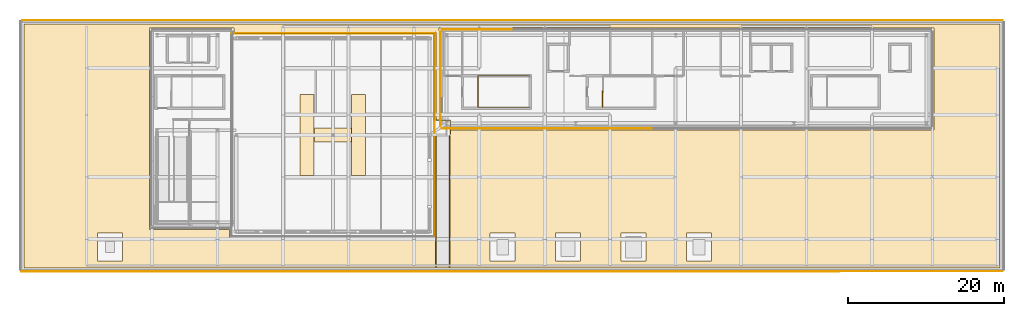
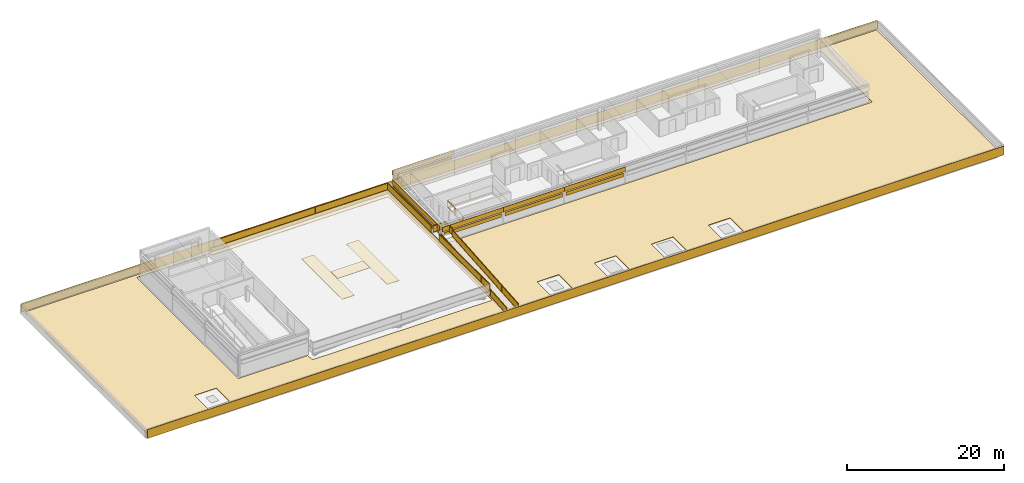
# One storey, part 13 of 14: 13 coverings, 9 railings, 5 shading devices.
"""IFC4 building model written with IfcOpenShell, lengths in metres."""

from ifc_helpers import new_model, si_unit, direction, frame, origin, origin_2d, place, context, subcontext, project, spatial, polyline, rectangle, outline, extrude, material, layer, layer_set, type_object, element, save


model = new_model("IFC4")

# Units and contexts
model_context = context("Model", 3, precision=1e-05, world=origin(), true_north=direction((0.0, 1.0)))
body_context = subcontext(model_context, "Body", "Model", "MODEL_VIEW")
ifc_project = project(units=[si_unit("LENGTHUNIT", "METRE"), si_unit("AREAUNIT", "SQUARE_METRE"), si_unit("VOLUMEUNIT", "CUBIC_METRE"), si_unit("PLANEANGLEUNIT", "RADIAN"), si_unit("MASSUNIT", "GRAM", prefix="KILO")], contexts=[model_context])

# Site, building, storey
site_placement = place(None, origin())
site = spatial("IfcSite", under=ifc_project, at=site_placement, CompositionType="ELEMENT")
building_placement = place(site_placement, origin())
building = spatial("IfcBuilding", under=site, at=building_placement, Name="Selatvlak General Hospital", CompositionType="ELEMENT")
storey_placement = place(building_placement, frame((0.0, 0.0, 39.449951171875)))
storey = spatial("IfcBuildingStorey", under=building, at=storey_placement, Name="RF", CompositionType="ELEMENT", Elevation=39.449951171875)

# Coverings
ifc_material_1 = material(Name="Insulated TPO roofing membrane")
ifc_layer_1 = layer(ifc_material_1, 0.06005859375, Name="Insulated TPO roofing membrane")
ifc_layer_set_1 = layer_set([ifc_layer_1], Name="Insulated TPO roofing membrane")
covering_type_1 = type_object("IfcCoveringType", Name="COV-RF1", PredefinedType="ROOFING", material=ifc_layer_set_1)
covering_1_placement = place(storey_placement, frame((0.0, 0.0, 1.400146484375)))
element("IfcCovering", 1, at=covering_1_placement, inside=storey, type_object=covering_type_1, Name="CAAM helipad H landing marking HLP-H-LEFT", PredefinedType="ROOFING", context=body_context, shape_type="SweptSolid", body=[
    extrude(outline(polyline([(67.0, 100.199951171875), (68.800048828125, 100.199951171875), (68.800048828125, 110.60009765625), (67.0, 110.60009765625), (67.0, 100.199951171875)])), origin(), (0.0, 0.0, 1.0), 0.044921875),
])
covering_2_placement = place(storey_placement, frame((0.0, 0.0, 1.400146484375)))
element("IfcCovering", 2, at=covering_2_placement, inside=storey, type_object=covering_type_1, Name="CAAM helipad H landing marking HLP-H-RIGHT", PredefinedType="ROOFING", context=body_context, shape_type="SweptSolid", body=[
    extrude(outline(polyline([(73.60009765625, 100.199951171875), (75.39990234375, 100.199951171875), (75.39990234375, 110.60009765625), (73.60009765625, 110.60009765625), (73.60009765625, 100.199951171875)])), origin(), (0.0, 0.0, 1.0), 0.044921875),
])
covering_3_placement = place(storey_placement, frame((0.0, 0.0, 1.400146484375)))
element("IfcCovering", 3, at=covering_3_placement, inside=storey, type_object=covering_type_1, Name="CAAM helipad H landing marking HLP-H-MID", PredefinedType="ROOFING", context=body_context, shape_type="SweptSolid", body=[
    extrude(outline(polyline([(68.820068359375, 104.5), (73.580078125, 104.5), (73.580078125, 106.300048828125), (68.820068359375, 106.300048828125), (68.820068359375, 104.5)])), origin(), (0.0, 0.0, 1.0), 0.044921875),
])
covering_4_placement = place(storey_placement, frame((0.0, 0.0, 0.050048828125)))
element("IfcCovering", 4, at=covering_4_placement, inside=storey, type_object=covering_type_1, Name="RF insulated TPO roof membrane 07", PredefinedType="ROOFING", context=body_context, shape_type="SweptSolid", body=[
    extrude(outline(polyline([(156.85009765625, 88.35009765625), (31.550048828125, 88.35009765625), (31.550048828125, 119.64990234375), (156.85009765625, 119.64990234375), (156.85009765625, 88.35009765625)]), holes=[polyline([(44.199951171875, 89.199951171875), (44.199951171875, 92.800048828125), (41.0, 92.800048828125), (41.0, 89.199951171875), (44.199951171875, 89.199951171875)]), polyline([(91.39990234375, 89.199951171875), (94.60009765625, 89.199951171875), (94.60009765625, 92.800048828125), (91.39990234375, 92.800048828125), (91.39990234375, 89.199951171875)]), polyline([(99.800048828125, 92.800048828125), (99.800048828125, 89.199951171875), (103.0, 89.199951171875), (103.0, 92.800048828125), (99.800048828125, 92.800048828125)]), polyline([(111.39990234375, 92.800048828125), (108.199951171875, 92.800048828125), (108.199951171875, 89.199951171875), (111.39990234375, 89.199951171875), (111.39990234375, 92.800048828125)]), polyline([(119.800048828125, 89.199951171875), (119.800048828125, 92.800048828125), (116.60009765625, 92.800048828125), (116.60009765625, 89.199951171875), (119.800048828125, 89.199951171875)]), polyline([(47.699951171875, 93.25), (57.949951171875, 93.25), (57.949951171875, 92.39990234375), (57.950927734375, 92.375), (57.955078125, 92.35107421875), (57.9609375, 92.326904296875), (57.968994140625, 92.303955078125), (57.97998046875, 92.281982421875), (57.991943359375, 92.260986328125), (58.007080078125, 92.240966796875), (58.02294921875, 92.222900390625), (58.041015625, 92.20703125), (58.06103515625, 92.19189453125), (58.08203125, 92.179931640625), (58.10400390625, 92.1689453125), (58.126953125, 92.160888671875), (58.15087890625, 92.155029296875), (58.175048828125, 92.15087890625), (58.199951171875, 92.14990234375), (84.199951171875, 92.14990234375), (84.22509765625, 92.15087890625), (84.2490234375, 92.155029296875), (84.27294921875, 92.160888671875), (84.2958984375, 92.1689453125), (84.318115234375, 92.179931640625), (84.339111328125, 92.19189453125), (84.35888671875, 92.20703125), (84.376953125, 92.222900390625), (84.39306640625, 92.240966796875), (84.407958984375, 92.260986328125), (84.419921875, 92.281982421875), (84.430908203125, 92.303955078125), (84.43896484375, 92.326904296875), (84.445068359375, 92.35107421875), (84.448974609375, 92.375), (84.449951171875, 92.39990234375), (84.449951171875, 118.39990234375), (84.448974609375, 118.425048828125), (84.445068359375, 118.448974609375), (84.43896484375, 118.472900390625), (84.430908203125, 118.49609375), (84.419921875, 118.51806640625), (84.407958984375, 118.5390625), (84.39306640625, 118.55908203125), (84.376953125, 118.576904296875), (84.35888671875, 118.593017578125), (84.339111328125, 118.60791015625), (84.318115234375, 118.6201171875), (84.2958984375, 118.631103515625), (84.27294921875, 118.638916015625), (84.2490234375, 118.64501953125), (84.22509765625, 118.64892578125), (84.199951171875, 118.64990234375), (58.5400390625, 118.64990234375), (58.5400390625, 119.14990234375), (47.699951171875, 119.14990234375), (47.699951171875, 93.25)]), polyline([(84.85009765625, 119.14990234375), (84.85009765625, 106.050048828125), (148.35009765625, 106.050048828125), (148.35009765625, 119.14990234375), (84.85009765625, 119.14990234375)])]), origin(), (0.0, 0.0, 1.0), 0.06005859375),
])
ifc_material_2 = material(Name="White Bauhaus fair-faced cladding panel")
ifc_layer_2 = layer(ifc_material_2, 0.054931640625, Name="White Bauhaus fair-faced cladding panel")
ifc_layer_set_2 = layer_set([ifc_layer_2], Name="White Bauhaus fair-faced cladding panel")
covering_type_2 = type_object("IfcCoveringType", Name="COV-WHT1", PredefinedType="CLADDING", material=ifc_layer_set_2)
for number, where, z_axis, x_axis, name in (
    (5, (84.22998046875, 105.39990234375, 0.85009765625), (0.0, 0.0, 1.0), (0.0, 1.0, 0.0), "RF Helipad perimeter fascia 0586"),
    (6, (71.199951171875, 118.429931640625, 0.85009765625), (0.0, 0.0, 1.0), (-1.0, 0.0, 0.0), "RF Helipad perimeter fascia 0587"),
):
    element("IfcCovering", number, at=place(storey_placement, frame(where, z_axis=z_axis, x_axis=x_axis)), inside=storey, type_object=covering_type_2, Name=name, PredefinedType="CLADDING", context=body_context, shape_type="SweptSolid", body=[
        extrude(rectangle(XDim=26.0, YDim=0.054931640625, at=origin_2d()), origin(), (0.0, 0.0, 1.0), 0.6298828125),
    ])
covering_5_placement = place(storey_placement, frame((89.68603515625, 106.235107421875, 1.89013671875), z_axis=(0.0, 0.0, 1.0), x_axis=(1.0, 0.0, 0.0)))
element("IfcCovering", 7, at=covering_5_placement, inside=storey, type_object=covering_type_2, Name="RF RF penthouse white crown fascia 0597", PredefinedType="CLADDING", context=body_context, shape_type="SweptSolid", body=[
    extrude(rectangle(XDim=8.970947265625, YDim=0.054931640625, at=origin_2d()), origin(), (0.0, 0.0, 1.0), 0.699951171875),
])
covering_6_placement = place(storey_placement, frame((98.656982421875, 106.235107421875, 1.89013671875), z_axis=(0.0, 0.0, 1.0), x_axis=(1.0, 0.0, 0.0)))
element("IfcCovering", 8, at=covering_6_placement, inside=storey, type_object=covering_type_2, Name="RF RF penthouse white crown fascia 0598", PredefinedType="CLADDING", context=body_context, shape_type="SweptSolid", body=[
    extrude(rectangle(XDim=8.971923828125, YDim=0.054931640625, at=origin_2d()), origin(), (0.0, 0.0, 1.0), 0.699951171875),
])
for number, where, z_axis, x_axis, name in (
    (9, (107.62890625, 106.235107421875, 1.89013671875), (0.0, 0.0, 1.0), (1.0, 0.0, 0.0), "RF RF penthouse white crown fascia 0599"),
    (10, (89.68603515625, 118.965087890625, 3.0400390625), (0.0, 0.0, 1.0), (-1.0, 0.0, 0.0), "RF RF penthouse white crown fascia 0611"),
):
    element("IfcCovering", number, at=place(storey_placement, frame(where, z_axis=z_axis, x_axis=x_axis)), inside=storey, type_object=covering_type_2, Name=name, PredefinedType="CLADDING", context=body_context, shape_type="SweptSolid", body=[
        extrude(rectangle(XDim=8.970947265625, YDim=0.054931640625, at=origin_2d()), origin(), (0.0, 0.0, 1.0), 0.699951171875),
    ])
covering_7_placement = place(storey_placement, frame((85.034912109375, 112.60009765625, 1.908203125), z_axis=(0.0, 0.0, 1.0), x_axis=(0.0, -1.0, 0.0)))
element("IfcCovering", 11, at=covering_7_placement, inside=storey, type_object=covering_type_2, Name="RF RF penthouse white crown fascia 0612", PredefinedType="CLADDING", context=body_context, shape_type="SweptSolid", body=[
    extrude(rectangle(XDim=12.115966796875, YDim=0.054931640625, at=origin_2d()), origin(), (0.0, 0.0, 1.0), 0.699951171875),
])
covering_8_placement = place(storey_placement, frame((94.199951171875, 87.864990234375, -0.169921875), z_axis=(0.0, 0.0, 1.0), x_axis=(-1.0, 0.0, 0.0)))
element("IfcCovering", 12, at=covering_8_placement, inside=storey, type_object=covering_type_2, Name="RF Roof parapet white Bauhaus coping 0652", PredefinedType="CLADDING", context=body_context, shape_type="SweptSolid", body=[
    extrude(rectangle(XDim=126.0, YDim=0.054931640625, at=origin_2d()), origin(), (0.0, 0.0, 1.0), 1.3701171875),
])
covering_9_placement = place(storey_placement, frame((94.25390625, 120.135009765625, -0.169921875), z_axis=(0.0, 0.0, 1.0), x_axis=(1.0, 0.0, 0.0)))
element("IfcCovering", 13, at=covering_9_placement, inside=storey, type_object=covering_type_2, Name="RF Roof parapet white Bauhaus coping 0654", PredefinedType="CLADDING", context=body_context, shape_type="SweptSolid", body=[
    extrude(rectangle(XDim=125.89208984375, YDim=0.054931640625, at=origin_2d()), origin(), (0.0, 0.0, 1.0), 1.3701171875),
])

# Railings
ifc_material_3 = material(Name="Stainless steel 316 perimeter guardrail", Category="steel")
railing_type_1 = type_object("IfcRailingType", Name="RAIL-GRD1", PredefinedType="GUARDRAIL", material=ifc_material_3)
railing_1_placement = place(storey_placement, frame((84.199951171875, 92.39990234375, 1.400146484375)))
element("IfcRailing", 14, at=railing_1_placement, inside=storey, type_object=railing_type_1, Name="RF continuous terrace guardrail 0040", PredefinedType="GUARDRAIL", context=body_context, shape_type="SweptSolid", body=[
    extrude(rectangle(XDim=0.068115234375, YDim=0.068115234375, at=origin_2d()), frame((0.0, 0.0029296875, 1.11572265625), z_axis=(0.0, 1.0, 0.0), x_axis=(-1.0, 0.0, 0.0)), (0.0, 0.0, 1.0), 12.894287109375),
    extrude(rectangle(XDim=0.068115234375, YDim=0.068115234375, at=origin_2d()), frame((0.0, 0.0029296875, 0.049072265625), z_axis=(0.0, 1.0, 0.0), x_axis=(-1.0, 0.0, 0.0)), (0.0, 0.0, 1.0), 12.894287109375),
    extrude(outline(polyline([(0.0, 0.0), (12.88818359375, 0.0), (12.88818359375, 0.9716796875), (0.0, 0.9716796875), (0.0, 0.0)])), frame((-0.01806640625, 0.006103515625, 0.0849609375), z_axis=(1.0, 0.0, 0.0), x_axis=(0.0, 1.0, 0.0)), (0.0, 0.0, 1.0), 0.031982421875),
    extrude(rectangle(XDim=0.055908203125, YDim=0.055908203125, at=origin_2d()), origin(), (0.0, 0.0, 1.0), 1.078857421875),
    extrude(rectangle(XDim=0.055908203125, YDim=0.055908203125, at=origin_2d()), frame((0.0, 2.14990234375, 0.0)), (0.0, 0.0, 1.0), 1.078857421875),
    extrude(rectangle(XDim=0.055908203125, YDim=0.055908203125, at=origin_2d()), frame((0.0, 4.300048828125, 0.0)), (0.0, 0.0, 1.0), 1.078857421875),
    extrude(rectangle(XDim=0.055908203125, YDim=0.055908203125, at=origin_2d()), frame((0.0, 6.4501953125, 0.0)), (0.0, 0.0, 1.0), 1.078857421875),
    extrude(rectangle(XDim=0.055908203125, YDim=0.055908203125, at=origin_2d()), frame((0.0, 8.60009765625, 0.0)), (0.0, 0.0, 1.0), 1.078857421875),
    extrude(rectangle(XDim=0.055908203125, YDim=0.055908203125, at=origin_2d()), frame((0.0, 10.75, 0.0)), (0.0, 0.0, 1.0), 1.078857421875),
    extrude(rectangle(XDim=0.055908203125, YDim=0.055908203125, at=origin_2d()), frame((0.0, 12.900146484375, 0.0)), (0.0, 0.0, 1.0), 1.078857421875),
])
railing_2_placement = place(storey_placement, frame((84.199951171875, 107.300048828125, 1.400146484375)))
element("IfcRailing", 15, at=railing_2_placement, inside=storey, type_object=railing_type_1, Name="RF continuous terrace guardrail 0041", PredefinedType="GUARDRAIL", context=body_context, shape_type="SweptSolid", body=[
    extrude(rectangle(XDim=0.068115234375, YDim=0.068115234375, at=origin_2d()), frame((0.0, 0.0029296875, 1.11572265625), z_axis=(0.0, 1.0, 0.0), x_axis=(-1.0, 0.0, 0.0)), (0.0, 0.0, 1.0), 11.093994140625),
    extrude(rectangle(XDim=0.068115234375, YDim=0.068115234375, at=origin_2d()), frame((0.0, 0.0029296875, 0.049072265625), z_axis=(0.0, 1.0, 0.0), x_axis=(-1.0, 0.0, 0.0)), (0.0, 0.0, 1.0), 11.093994140625),
    extrude(outline(polyline([(0.0, 0.0), (11.087890625, 0.0), (11.087890625, 0.9716796875), (0.0, 0.9716796875), (0.0, 0.0)])), frame((-0.01806640625, 0.006103515625, 0.0849609375), z_axis=(1.0, 0.0, 0.0), x_axis=(0.0, 1.0, 0.0)), (0.0, 0.0, 1.0), 0.031982421875),
    extrude(rectangle(XDim=0.068115234375, YDim=0.068115234375, at=origin_2d()), frame((-0.0029296875, 11.099853515625, 1.11572265625), z_axis=(-1.0, 0.0, 0.0), x_axis=(0.0, -1.0, 0.0)), (0.0, 0.0, 1.0), 25.524169921875),
    extrude(rectangle(XDim=0.068115234375, YDim=0.068115234375, at=origin_2d()), frame((-0.0029296875, 11.099853515625, 0.049072265625), z_axis=(-1.0, 0.0, 0.0), x_axis=(0.0, -1.0, 0.0)), (0.0, 0.0, 1.0), 25.524169921875),
    extrude(outline(polyline([(0.0, 0.0), (25.51806640625, 0.0), (25.51806640625, 0.9716796875), (0.0, 0.9716796875), (0.0, 0.0)])), frame((-0.006103515625, 11.081787109375, 0.0849609375), z_axis=(0.0, 1.0, 0.0), x_axis=(-1.0, 0.0, 0.0)), (0.0, 0.0, 1.0), 0.031982421875),
    extrude(rectangle(XDim=0.055908203125, YDim=0.055908203125, at=origin_2d()), origin(), (0.0, 0.0, 1.0), 1.078857421875),
    extrude(rectangle(XDim=0.055908203125, YDim=0.055908203125, at=origin_2d()), frame((0.0, 1.85009765625, 0.0)), (0.0, 0.0, 1.0), 1.078857421875),
    extrude(rectangle(XDim=0.055908203125, YDim=0.055908203125, at=origin_2d()), frame((0.0, 3.699951171875, 0.0)), (0.0, 0.0, 1.0), 1.078857421875),
    extrude(rectangle(XDim=0.055908203125, YDim=0.055908203125, at=origin_2d()), frame((0.0, 5.5498046875, 0.0)), (0.0, 0.0, 1.0), 1.078857421875),
    extrude(rectangle(XDim=0.055908203125, YDim=0.055908203125, at=origin_2d()), frame((0.0, 7.39990234375, 0.0)), (0.0, 0.0, 1.0), 1.078857421875),
    extrude(rectangle(XDim=0.055908203125, YDim=0.055908203125, at=origin_2d()), frame((0.0, 9.25, 0.0)), (0.0, 0.0, 1.0), 1.078857421875),
    extrude(rectangle(XDim=0.055908203125, YDim=0.055908203125, at=origin_2d()), frame((0.0, 11.099853515625, 0.0)), (0.0, 0.0, 1.0), 1.078857421875),
    extrude(rectangle(XDim=0.055908203125, YDim=0.055908203125, at=origin_2d()), frame((-2.12744140625, 11.099853515625, 0.0)), (0.0, 0.0, 1.0), 1.078857421875),
    extrude(rectangle(XDim=0.055908203125, YDim=0.055908203125, at=origin_2d()), frame((-4.2548828125, 11.099853515625, 0.0)), (0.0, 0.0, 1.0), 1.078857421875),
    extrude(rectangle(XDim=0.055908203125, YDim=0.055908203125, at=origin_2d()), frame((-6.382568359375, 11.099853515625, 0.0)), (0.0, 0.0, 1.0), 1.078857421875),
    extrude(rectangle(XDim=0.055908203125, YDim=0.055908203125, at=origin_2d()), frame((-8.510009765625, 11.099853515625, 0.0)), (0.0, 0.0, 1.0), 1.078857421875),
    extrude(rectangle(XDim=0.055908203125, YDim=0.055908203125, at=origin_2d()), frame((-10.637451171875, 11.099853515625, 0.0)), (0.0, 0.0, 1.0), 1.078857421875),
    extrude(rectangle(XDim=0.055908203125, YDim=0.055908203125, at=origin_2d()), frame((-12.76513671875, 11.099853515625, 0.0)), (0.0, 0.0, 1.0), 1.078857421875),
    extrude(rectangle(XDim=0.055908203125, YDim=0.055908203125, at=origin_2d()), frame((-14.892578125, 11.099853515625, 0.0)), (0.0, 0.0, 1.0), 1.078857421875),
    extrude(rectangle(XDim=0.055908203125, YDim=0.055908203125, at=origin_2d()), frame((-17.02001953125, 11.099853515625, 0.0)), (0.0, 0.0, 1.0), 1.078857421875),
    extrude(rectangle(XDim=0.055908203125, YDim=0.055908203125, at=origin_2d()), frame((-19.1474609375, 11.099853515625, 0.0)), (0.0, 0.0, 1.0), 1.078857421875),
    extrude(rectangle(XDim=0.055908203125, YDim=0.055908203125, at=origin_2d()), frame((-21.27490234375, 11.099853515625, 0.0)), (0.0, 0.0, 1.0), 1.078857421875),
    extrude(rectangle(XDim=0.055908203125, YDim=0.055908203125, at=origin_2d()), frame((-23.402587890625, 11.099853515625, 0.0)), (0.0, 0.0, 1.0), 1.078857421875),
    extrude(rectangle(XDim=0.055908203125, YDim=0.055908203125, at=origin_2d()), frame((-25.530029296875, 11.099853515625, 0.0)), (0.0, 0.0, 1.0), 1.078857421875),
])
ifc_material_4 = material(Name="Stainless steel 316 stair guard", Category="steel")
railing_type_2 = type_object("IfcRailingType", Name="RAIL-STG", PredefinedType="GUARDRAIL", material=ifc_material_4)
railing_3_placement = place(storey_placement, frame((89.81005859375, 109.0, 0.0)))
element("IfcRailing", 16, at=railing_3_placement, inside=storey, type_object=railing_type_2, Name="RF ST-02 top well guard 1", PredefinedType="GUARDRAIL", context=body_context, shape_type="SweptSolid", body=[
    extrude(rectangle(XDim=0.068115234375, YDim=0.068115234375, at=origin_2d()), frame((0.0, 0.0029296875, 1.11572265625), z_axis=(0.0, 1.0, 0.0), x_axis=(-1.0, 0.0, 0.0)), (0.0, 0.0, 1.0), 2.07421875),
    extrude(rectangle(XDim=0.068115234375, YDim=0.068115234375, at=origin_2d()), frame((0.0, 0.0029296875, 0.049072265625), z_axis=(0.0, 1.0, 0.0), x_axis=(-1.0, 0.0, 0.0)), (0.0, 0.0, 1.0), 2.07421875),
    extrude(rectangle(XDim=0.055908203125, YDim=0.055908203125, at=origin_2d()), origin(), (0.0, 0.0, 1.0), 1.078857421875),
    extrude(rectangle(XDim=0.055908203125, YDim=0.055908203125, at=origin_2d()), frame((0.0, 2.080078125, 0.0)), (0.0, 0.0, 1.0), 1.078857421875),
])
railing_4_placement = place(storey_placement, frame((89.905029296875, 112.989990234375, 0.0)))
element("IfcRailing", 17, at=railing_4_placement, inside=storey, type_object=railing_type_2, Name="ST-02 top landing well guard on RF", PredefinedType="GUARDRAIL", context=body_context, shape_type="SweptSolid", body=[
    extrude(rectangle(XDim=0.068115234375, YDim=0.068115234375, at=origin_2d()), frame((0.0029296875, 0.0, 1.0859375), z_axis=(1.0, 0.0, 0.0), x_axis=(0.0, 1.0, 0.0)), (0.0, 0.0, 1.0), 6.5390625),
    extrude(rectangle(XDim=0.068115234375, YDim=0.068115234375, at=origin_2d()), frame((0.0029296875, 0.0, 0.049072265625), z_axis=(1.0, 0.0, 0.0), x_axis=(0.0, 1.0, 0.0)), (0.0, 0.0, 1.0), 6.5390625),
    extrude(rectangle(XDim=0.068115234375, YDim=0.068115234375, at=origin_2d()), frame((6.544921875, -0.0029296875, 1.0859375), z_axis=(0.0, -1.0, 0.0), x_axis=(1.0, 0.0, 0.0)), (0.0, 0.0, 1.0), 4.0341796875),
    extrude(rectangle(XDim=0.068115234375, YDim=0.068115234375, at=origin_2d()), frame((6.544921875, -0.0029296875, 0.049072265625), z_axis=(0.0, -1.0, 0.0), x_axis=(1.0, 0.0, 0.0)), (0.0, 0.0, 1.0), 4.0341796875),
    extrude(rectangle(XDim=0.068115234375, YDim=0.068115234375, at=origin_2d()), frame((6.5419921875, -4.0400390625, 1.0859375), z_axis=(-1.0, 0.0, 0.0), x_axis=(0.0, -1.0, 0.0)), (0.0, 0.0, 1.0), 6.5390625),
    extrude(rectangle(XDim=0.068115234375, YDim=0.068115234375, at=origin_2d()), frame((6.5419921875, -4.0400390625, 0.049072265625), z_axis=(-1.0, 0.0, 0.0), x_axis=(0.0, -1.0, 0.0)), (0.0, 0.0, 1.0), 6.5390625),
    extrude(rectangle(XDim=0.055908203125, YDim=0.055908203125, at=origin_2d()), origin(), (0.0, 0.0, 1.0), 1.049072265625),
    extrude(rectangle(XDim=0.055908203125, YDim=0.055908203125, at=origin_2d()), frame((3.2724609375, 0.0, 0.0)), (0.0, 0.0, 1.0), 1.049072265625),
    extrude(rectangle(XDim=0.055908203125, YDim=0.055908203125, at=origin_2d()), frame((6.544921875, 0.0, 0.0)), (0.0, 0.0, 1.0), 1.049072265625),
    extrude(rectangle(XDim=0.055908203125, YDim=0.055908203125, at=origin_2d()), frame((6.544921875, -2.02001953125, 0.0)), (0.0, 0.0, 1.0), 1.049072265625),
    extrude(rectangle(XDim=0.055908203125, YDim=0.055908203125, at=origin_2d()), frame((6.544921875, -4.0400390625, 0.0)), (0.0, 0.0, 1.0), 1.049072265625),
    extrude(rectangle(XDim=0.055908203125, YDim=0.055908203125, at=origin_2d()), frame((3.2724609375, -4.0400390625, 0.0)), (0.0, 0.0, 1.0), 1.049072265625),
    extrude(rectangle(XDim=0.055908203125, YDim=0.055908203125, at=origin_2d()), frame((0.0, -4.0400390625, 0.0)), (0.0, 0.0, 1.0), 1.049072265625),
])
railing_5_placement = place(storey_placement, frame((89.85498046875, 110.860107421875, 0.0)))
element("IfcRailing", 18, at=railing_5_placement, inside=storey, type_object=railing_type_2, Name="ST-02 top landing west slot guard on RF", PredefinedType="GUARDRAIL", context=body_context, shape_type="SweptSolid", body=[
    extrude(rectangle(XDim=0.068115234375, YDim=0.068115234375, at=origin_2d()), frame((0.0, 0.0029296875, 1.0859375), z_axis=(0.0, 1.0, 0.0), x_axis=(-1.0, 0.0, 0.0)), (0.0, 0.0, 1.0), 2.1240234375),
    extrude(rectangle(XDim=0.068115234375, YDim=0.068115234375, at=origin_2d()), frame((0.0, 0.0029296875, 0.049072265625), z_axis=(0.0, 1.0, 0.0), x_axis=(-1.0, 0.0, 0.0)), (0.0, 0.0, 1.0), 2.1240234375),
    extrude(rectangle(XDim=0.055908203125, YDim=0.055908203125, at=origin_2d()), origin(), (0.0, 0.0, 1.0), 1.049072265625),
    extrude(rectangle(XDim=0.055908203125, YDim=0.055908203125, at=origin_2d()), frame((0.0, 2.1298828125, 0.0)), (0.0, 0.0, 1.0), 1.049072265625),
])
railing_6_placement = place(storey_placement, frame((105.81005859375, 109.0, 0.0)))
element("IfcRailing", 19, at=railing_6_placement, inside=storey, type_object=railing_type_2, Name="RF ST-03 top well guard 1", PredefinedType="GUARDRAIL", context=body_context, shape_type="SweptSolid", body=[
    extrude(rectangle(XDim=0.068115234375, YDim=0.068115234375, at=origin_2d()), frame((0.0, 0.0029296875, 1.11572265625), z_axis=(0.0, 1.0, 0.0), x_axis=(-1.0, 0.0, 0.0)), (0.0, 0.0, 1.0), 2.07421875),
    extrude(rectangle(XDim=0.068115234375, YDim=0.068115234375, at=origin_2d()), frame((0.0, 0.0029296875, 0.049072265625), z_axis=(0.0, 1.0, 0.0), x_axis=(-1.0, 0.0, 0.0)), (0.0, 0.0, 1.0), 2.07421875),
    extrude(rectangle(XDim=0.055908203125, YDim=0.055908203125, at=origin_2d()), origin(), (0.0, 0.0, 1.0), 1.078857421875),
    extrude(rectangle(XDim=0.055908203125, YDim=0.055908203125, at=origin_2d()), frame((0.0, 2.080078125, 0.0)), (0.0, 0.0, 1.0), 1.078857421875),
])
railing_7_placement = place(storey_placement, frame((86.14990234375, 88.5, 0.050048828125)))
element("IfcRailing", 20, at=railing_7_placement, inside=storey, type_object=railing_type_2, Name="Accessible ramp RMP-HLP-E1 side guard R", PredefinedType="GUARDRAIL", context=body_context, shape_type="SweptSolid", body=[
    extrude(rectangle(XDim=0.068115234375, YDim=0.068115234375, at=origin_2d()), frame((0.0, 0.0029296875, 1.086181640625), z_axis=(0.0, 0.996786473213, 0.0801044744), x_axis=(-1.0, 0.0, 0.0)), (0.0, 0.0, 1.0), 16.848388671875),
    extrude(rectangle(XDim=0.068115234375, YDim=0.068115234375, at=origin_2d()), frame((0.0, 0.0029296875, 0.04931640625), z_axis=(0.0, 0.996786473213, 0.0801044744), x_axis=(-1.0, 0.0, 0.0)), (0.0, 0.0, 1.0), 16.848388671875),
    extrude(outline(polyline([(0.0, 0.0), (16.7880859375, 1.34912109375), (16.7880859375, 2.291015625), (0.0, 0.94189453125), (0.0, 0.0)])), frame((-0.01806640625, 0.006103515625, 0.08544921875), z_axis=(1.0, 0.0, 0.0), x_axis=(0.0, 1.0, 0.0)), (0.0, 0.0, 1.0), 0.031982421875),
    extrude(rectangle(XDim=0.055908203125, YDim=0.055908203125, at=origin_2d()), origin(), (0.0, 0.0, 1.0), 1.049072265625),
    extrude(rectangle(XDim=0.055908203125, YDim=0.055908203125, at=origin_2d()), frame((0.0, 2.10009765625, 0.168701171875)), (0.0, 0.0, 1.0), 1.049072265625),
    extrude(rectangle(XDim=0.055908203125, YDim=0.055908203125, at=origin_2d()), frame((0.0, 4.199951171875, 0.33740234375)), (0.0, 0.0, 1.0), 1.049072265625),
    extrude(rectangle(XDim=0.055908203125, YDim=0.055908203125, at=origin_2d()), frame((0.0, 6.300048828125, 0.50634765625)), (0.0, 0.0, 1.0), 1.049072265625),
    extrude(rectangle(XDim=0.055908203125, YDim=0.055908203125, at=origin_2d()), frame((0.0, 8.39990234375, 0.675048828125)), (0.0, 0.0, 1.0), 1.049072265625),
    extrude(rectangle(XDim=0.055908203125, YDim=0.055908203125, at=origin_2d()), frame((0.0, 10.5, 0.84375)), (0.0, 0.0, 1.0), 1.049072265625),
    extrude(rectangle(XDim=0.055908203125, YDim=0.055908203125, at=origin_2d()), frame((0.0, 12.60009765625, 1.0126953125)), (0.0, 0.0, 1.0), 1.049072265625),
    extrude(rectangle(XDim=0.055908203125, YDim=0.055908203125, at=origin_2d()), frame((0.0, 14.699951171875, 1.181396484375)), (0.0, 0.0, 1.0), 1.049072265625),
    extrude(rectangle(XDim=0.055908203125, YDim=0.055908203125, at=origin_2d()), frame((0.0, 16.800048828125, 1.35009765625)), (0.0, 0.0, 1.0), 1.049072265625),
])
railing_8_placement = place(storey_placement, frame((84.449951171875, 88.5, 0.050048828125)))
element("IfcRailing", 21, at=railing_8_placement, inside=storey, type_object=railing_type_2, Name="Accessible ramp RMP-HLP-E1 side guard L", PredefinedType="GUARDRAIL", context=body_context, shape_type="SweptSolid", body=[
    extrude(rectangle(XDim=0.068115234375, YDim=0.068115234375, at=origin_2d()), frame((0.0, 0.0029296875, 1.086181640625), z_axis=(0.0, 0.996786473213, 0.0801044744), x_axis=(-1.0, 0.0, 0.0)), (0.0, 0.0, 1.0), 16.848388671875),
    extrude(rectangle(XDim=0.068115234375, YDim=0.068115234375, at=origin_2d()), frame((0.0, 0.0029296875, 0.04931640625), z_axis=(0.0, 0.996786473213, 0.0801044744), x_axis=(-1.0, 0.0, 0.0)), (0.0, 0.0, 1.0), 16.848388671875),
    extrude(outline(polyline([(0.0, 0.0), (16.7880859375, 1.34912109375), (16.7880859375, 2.291015625), (0.0, 0.94189453125), (0.0, 0.0)])), frame((-0.01806640625, 0.006103515625, 0.08544921875), z_axis=(1.0, 0.0, 0.0), x_axis=(0.0, 1.0, 0.0)), (0.0, 0.0, 1.0), 0.031982421875),
    extrude(rectangle(XDim=0.055908203125, YDim=0.055908203125, at=origin_2d()), origin(), (0.0, 0.0, 1.0), 1.049072265625),
    extrude(rectangle(XDim=0.055908203125, YDim=0.055908203125, at=origin_2d()), frame((0.0, 2.10009765625, 0.168701171875)), (0.0, 0.0, 1.0), 1.049072265625),
    extrude(rectangle(XDim=0.055908203125, YDim=0.055908203125, at=origin_2d()), frame((0.0, 4.199951171875, 0.33740234375)), (0.0, 0.0, 1.0), 1.049072265625),
    extrude(rectangle(XDim=0.055908203125, YDim=0.055908203125, at=origin_2d()), frame((0.0, 6.300048828125, 0.50634765625)), (0.0, 0.0, 1.0), 1.049072265625),
    extrude(rectangle(XDim=0.055908203125, YDim=0.055908203125, at=origin_2d()), frame((0.0, 8.39990234375, 0.675048828125)), (0.0, 0.0, 1.0), 1.049072265625),
    extrude(rectangle(XDim=0.055908203125, YDim=0.055908203125, at=origin_2d()), frame((0.0, 10.5, 0.84375)), (0.0, 0.0, 1.0), 1.049072265625),
    extrude(rectangle(XDim=0.055908203125, YDim=0.055908203125, at=origin_2d()), frame((0.0, 12.60009765625, 1.0126953125)), (0.0, 0.0, 1.0), 1.049072265625),
    extrude(rectangle(XDim=0.055908203125, YDim=0.055908203125, at=origin_2d()), frame((0.0, 14.699951171875, 1.181396484375)), (0.0, 0.0, 1.0), 1.049072265625),
    extrude(rectangle(XDim=0.055908203125, YDim=0.055908203125, at=origin_2d()), frame((0.0, 16.800048828125, 1.35009765625)), (0.0, 0.0, 1.0), 1.049072265625),
])
railing_9_placement = place(storey_placement, frame((86.300048828125, 105.5009765625, 1.400146484375)))
element("IfcRailing", 22, at=railing_9_placement, inside=storey, type_object=railing_type_2, Name="Accessible landing guard SL-HLPLND-E1-1", PredefinedType="GUARDRAIL", context=body_context, shape_type="SweptSolid", body=[
    extrude(rectangle(XDim=0.068115234375, YDim=0.068115234375, at=origin_2d()), frame((0.0, 0.0029296875, 1.0859375), z_axis=(0.0, 1.0, 0.0), x_axis=(-1.0, 0.0, 0.0)), (0.0, 0.0, 1.0), 1.793212890625),
    extrude(rectangle(XDim=0.068115234375, YDim=0.068115234375, at=origin_2d()), frame((0.0, 0.0029296875, 0.049072265625), z_axis=(0.0, 1.0, 0.0), x_axis=(-1.0, 0.0, 0.0)), (0.0, 0.0, 1.0), 1.793212890625),
    extrude(outline(polyline([(0.0, 0.0), (1.787109375, 0.0), (1.787109375, 0.94189453125), (0.0, 0.94189453125), (0.0, 0.0)])), frame((-0.01806640625, 0.006103515625, 0.0849609375), z_axis=(1.0, 0.0, 0.0), x_axis=(0.0, 1.0, 0.0)), (0.0, 0.0, 1.0), 0.031982421875),
    extrude(rectangle(XDim=0.068115234375, YDim=0.068115234375, at=origin_2d()), frame((-0.0029296875, 1.799072265625, 1.0859375), z_axis=(-1.0, 0.0, 0.0), x_axis=(0.0, -1.0, 0.0)), (0.0, 0.0, 1.0), 1.794189453125),
    extrude(rectangle(XDim=0.068115234375, YDim=0.068115234375, at=origin_2d()), frame((-0.0029296875, 1.799072265625, 0.049072265625), z_axis=(-1.0, 0.0, 0.0), x_axis=(0.0, -1.0, 0.0)), (0.0, 0.0, 1.0), 1.794189453125),
    extrude(outline(polyline([(0.0, 0.0), (1.7880859375, 0.0), (1.7880859375, 0.94189453125), (0.0, 0.94189453125), (0.0, 0.0)])), frame((-0.006103515625, 1.781005859375, 0.0849609375), z_axis=(0.0, 1.0, 0.0), x_axis=(-1.0, 0.0, 0.0)), (0.0, 0.0, 1.0), 0.031982421875),
    extrude(rectangle(XDim=0.055908203125, YDim=0.055908203125, at=origin_2d()), origin(), (0.0, 0.0, 1.0), 1.049072265625),
    extrude(rectangle(XDim=0.055908203125, YDim=0.055908203125, at=origin_2d()), frame((0.0, 1.799072265625, 0.0)), (0.0, 0.0, 1.0), 1.049072265625),
    extrude(rectangle(XDim=0.055908203125, YDim=0.055908203125, at=origin_2d()), frame((-1.800048828125, 1.799072265625, 0.0)), (0.0, 0.0, 1.0), 1.049072265625),
])

# Shading devices
ifc_material_5 = material(Name="Anodised aluminium acoustic louvre", Category="aluminium")
ifc_layer_3 = layer(ifc_material_5, 0.050048828125, Name="Anodised aluminium acoustic louvre", Category="aluminium")
ifc_layer_set_3 = layer_set([ifc_layer_3], Name="Anodised aluminium acoustic louvre")
shading_device_type = type_object("IfcShadingDeviceType", Name="SHD-JAL1", PredefinedType="JALOUSIE", material=ifc_layer_set_3)
shading_device_1_placement = place(storey_placement, frame((89.68603515625, 106.235107421875, 1.1650390625), z_axis=(0.0, 0.0, 1.0), x_axis=(1.0, 0.0, 0.0)))
element("IfcShadingDevice", 23, at=shading_device_1_placement, inside=storey, type_object=shading_device_type, Name="RF penthouse acoustic louvre EW-RF-PENT-E-S1", PredefinedType="JALOUSIE", context=body_context, shape_type="SweptSolid", body=[
    extrude(rectangle(XDim=8.470947265625, YDim=0.050048828125, at=origin_2d()), origin(), (0.0, 0.0, 1.0), 0.550048828125),
])
shading_device_2_placement = place(storey_placement, frame((98.656982421875, 106.235107421875, 1.1650390625), z_axis=(0.0, 0.0, 1.0), x_axis=(1.0, 0.0, 0.0)))
element("IfcShadingDevice", 24, at=shading_device_2_placement, inside=storey, type_object=shading_device_type, Name="RF penthouse acoustic louvre EW-RF-PENT-E-S2", PredefinedType="JALOUSIE", context=body_context, shape_type="SweptSolid", body=[
    extrude(rectangle(XDim=8.471923828125, YDim=0.050048828125, at=origin_2d()), origin(), (0.0, 0.0, 1.0), 0.550048828125),
])
for number, where, z_axis, x_axis, name in (
    (25, (107.62890625, 106.235107421875, 1.1650390625), (0.0, 0.0, 1.0), (1.0, 0.0, 0.0), "RF penthouse acoustic louvre EW-RF-PENT-E-S3"),
    (26, (89.68603515625, 118.965087890625, 2.31494140625), (0.0, 0.0, 1.0), (-1.0, 0.0, 0.0), "RF penthouse acoustic louvre EW-RF-PENT-E-N7"),
):
    element("IfcShadingDevice", number, at=place(storey_placement, frame(where, z_axis=z_axis, x_axis=x_axis)), inside=storey, type_object=shading_device_type, Name=name, PredefinedType="JALOUSIE", context=body_context, shape_type="SweptSolid", body=[
        extrude(rectangle(XDim=8.470947265625, YDim=0.050048828125, at=origin_2d()), origin(), (0.0, 0.0, 1.0), 0.550048828125),
    ])
shading_device_3_placement = place(storey_placement, frame((85.034912109375, 112.60009765625, 1.18310546875), z_axis=(0.0, 0.0, 1.0), x_axis=(0.0, -1.0, 0.0)))
element("IfcShadingDevice", 27, at=shading_device_3_placement, inside=storey, type_object=shading_device_type, Name="RF penthouse acoustic louvre EW-RF-PENT-E-W1", PredefinedType="JALOUSIE", context=body_context, shape_type="SweptSolid", body=[
    extrude(rectangle(XDim=11.615966796875, YDim=0.050048828125, at=origin_2d()), origin(), (0.0, 0.0, 1.0), 0.550048828125),
])

save(model, "model.ifc")
